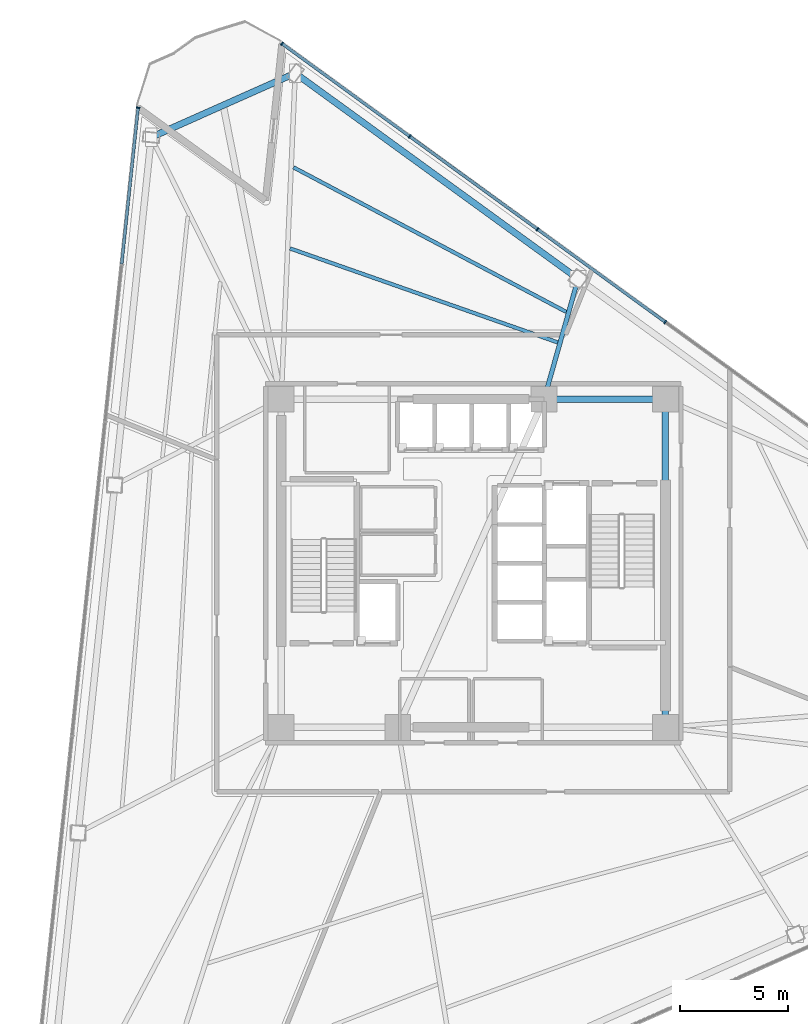
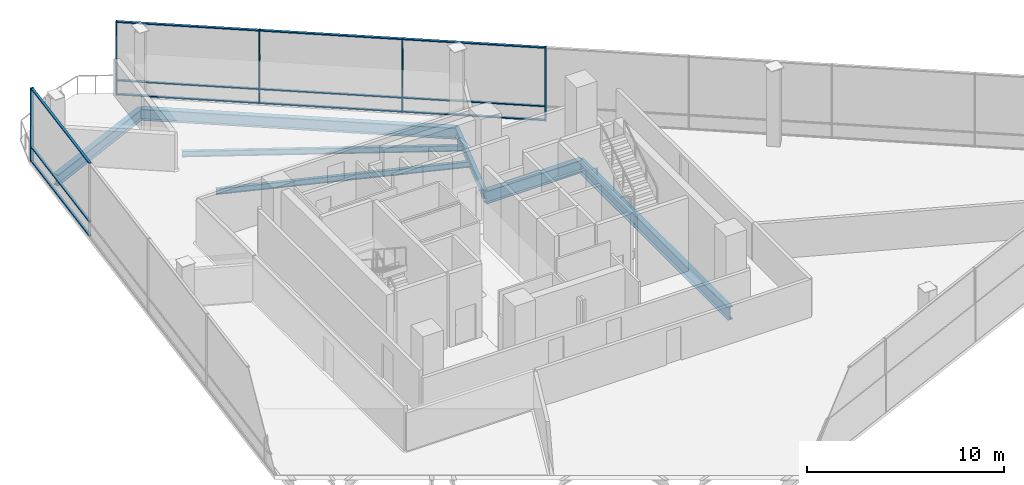
# One storey, part 8 of 18: 17 members, 7 beams, 2 elements without a shape of their own.
"""IFC4 building model written with IfcOpenShell, lengths in metres."""

from ifc_helpers import new_model, si_unit, direction, frame, origin, origin_2d, place, context, subcontext, project, spatial, rectangle, i_section, extrude, material, layer, layer_set, material_profile, profile_set, type_object, element, aggregate, save


model = new_model("IFC4")

# Units and contexts
model_context = context("Model", 3, precision=1e-05, world=origin(), true_north=direction((0.0, 1.0)))
body_context = subcontext(model_context, "Body", "Model", "MODEL_VIEW")
ifc_project = project(units=[si_unit("LENGTHUNIT", "METRE"), si_unit("AREAUNIT", "SQUARE_METRE"), si_unit("VOLUMEUNIT", "CUBIC_METRE"), si_unit("PLANEANGLEUNIT", "RADIAN"), si_unit("MASSUNIT", "GRAM", prefix="KILO")], contexts=[model_context])

# Site, building, storey
site_placement = place(None, origin())
site = spatial("IfcSite", under=ifc_project, at=site_placement, CompositionType="ELEMENT")
building_placement = place(site_placement, origin())
building = spatial("IfcBuilding", under=site, at=building_placement, Name="Tharavind Bronze Gate", CompositionType="ELEMENT")
storey_placement = place(building_placement, frame((0.0, 0.0, 134.050048828125)))
storey = spatial("IfcBuildingStorey", under=building, at=storey_placement, Name="L34", CompositionType="ELEMENT", Elevation=134.050048828125)

# Curtain wall, member
ifc_material_1 = material(Name="Anodised Bronze Aluminium", Category="aluminium")
ifc_layer = layer(ifc_material_1, 0.219970703125)
ifc_layer_set = layer_set([ifc_layer], Name="Anodised Bronze Aluminium")
curtain_wall_type = type_object("IfcCurtainWallType", Name="UNITISED CURTAIN WALL LOWER OFFICE", PredefinedType="USERDEFINED", material=ifc_layer_set)
curtain_wall_1_placement = place(storey_placement, origin())
curtain_wall_1 = element("IfcCurtainWall", 1, at=curtain_wall_1_placement, inside=storey, type_object=curtain_wall_type, Name="L34 unitised curtain wall lower office CW-L34-S1", ObjectType="UNITISED CURTAIN WALL", PredefinedType="USERDEFINED")
member_type_1 = type_object("IfcMemberType", Name="CURTAIN WALL BRONZE MULLION 65X180", PredefinedType="MULLION", material=ifc_material_1)
member_1_placement = place(storey_placement, frame((-15.527587890625, 21.101806640625, 0.0), z_axis=(0.0, 0.0, 1.0), x_axis=(-0.104526727499, -0.994522077803, 0.0)))
member_1 = element("IfcMember", 2, at=member_1_placement, type_object=member_type_1, Name="CW-L34-S1 mullion 1", PredefinedType="MULLION", context=body_context, shape_type="SweptSolid", body=[
    extrude(rectangle(XDim=0.06494140625, YDim=0.179931640625, at=origin_2d()), origin(), (0.0, 0.0, 1.0), 4.56005859375),
])

# Curtain wall, members
curtain_wall_2_placement = place(storey_placement, origin())
curtain_wall_2 = element("IfcCurtainWall", 3, at=curtain_wall_2_placement, inside=storey, type_object=curtain_wall_type, Name="L34 unitised curtain wall lower office CW-L34-S3", ObjectType="UNITISED CURTAIN WALL", PredefinedType="USERDEFINED")
member_2_placement = place(storey_placement, frame((8.89111328125, 11.1748046875, 0.0), z_axis=(0.0, 0.0, 1.0), x_axis=(-0.809016994375, 0.587785252292, 0.0)))
member_2 = element("IfcMember", 4, at=member_2_placement, type_object=member_type_1, Name="CW-L34-S3 mullion 5", PredefinedType="MULLION", context=body_context, shape_type="SweptSolid", body=[
    extrude(rectangle(XDim=0.06494140625, YDim=0.179931640625, at=origin_2d()), origin(), (0.0, 0.0, 1.0), 4.56005859375),
])
member_3_placement = place(storey_placement, frame((2.974609375, 15.473388671875, 0.0), z_axis=(0.0, 0.0, 1.0), x_axis=(-0.809016994375, 0.587785252292, 0.0)))
member_3 = element("IfcMember", 5, at=member_3_placement, type_object=member_type_1, Name="CW-L34-S3 mullion 6", PredefinedType="MULLION", context=body_context, shape_type="SweptSolid", body=[
    extrude(rectangle(XDim=0.06494140625, YDim=0.179931640625, at=origin_2d()), origin(), (0.0, 0.0, 1.0), 4.56005859375),
])
member_4_placement = place(storey_placement, frame((-2.942138671875, 19.772216796875, 0.0), z_axis=(0.0, 0.0, 1.0), x_axis=(-0.809016994375, 0.587785252292, 0.0)))
member_4 = element("IfcMember", 6, at=member_4_placement, type_object=member_type_1, Name="CW-L34-S3 mullion 7", PredefinedType="MULLION", context=body_context, shape_type="SweptSolid", body=[
    extrude(rectangle(XDim=0.06494140625, YDim=0.179931640625, at=origin_2d()), origin(), (0.0, 0.0, 1.0), 4.56005859375),
])
member_5_placement = place(storey_placement, frame((-8.85888671875, 24.07080078125, 0.0), z_axis=(0.0, 0.0, 1.0), x_axis=(-0.809016994375, 0.587785252292, 0.0)))
member_5 = element("IfcMember", 7, at=member_5_placement, type_object=member_type_1, Name="CW-L34-S3 mullion 8", PredefinedType="MULLION", context=body_context, shape_type="SweptSolid", body=[
    extrude(rectangle(XDim=0.06494140625, YDim=0.179931640625, at=origin_2d()), origin(), (0.0, 0.0, 1.0), 4.56005859375),
])

# Member
member_type_2 = type_object("IfcMemberType", Name="CURTAIN WALL BRONZE TRANSOM 65X140", PredefinedType="USERDEFINED", material=ifc_material_1)
member_6_placement = place(storey_placement, frame((-15.909912109375, 17.465087890625, 0.0), z_axis=(0.0, 0.0, 1.0), x_axis=(-0.104526727499, -0.994522077803, 0.0)))
member_6 = element("IfcMember", 8, at=member_6_placement, type_object=member_type_2, Name="CW-L34-S1 transom TB1", ObjectType="TRANSOM", PredefinedType="USERDEFINED", context=body_context, shape_type="SweptSolid", body=[
    extrude(rectangle(XDim=7.26025390625, YDim=0.139892578125, at=origin_2d()), origin(), (0.0, 0.0, 1.0), 0.06494140625),
])

member_7_placement = place(storey_placement, frame((-15.909912109375, 17.465087890625, 0.867431640625), z_axis=(0.0, 0.0, 1.0), x_axis=(-0.104526727499, -0.994522077803, 0.0)))
member_7 = element("IfcMember", 9, at=member_7_placement, type_object=member_type_2, Name="CW-L34-S1 transom TS1", ObjectType="TRANSOM", PredefinedType="USERDEFINED", context=body_context, shape_type="SweptSolid", body=[
    extrude(rectangle(XDim=7.26025390625, YDim=0.139892578125, at=origin_2d()), origin(), (0.0, 0.0, 1.0), 0.06494140625),
])

member_8_placement = place(storey_placement, frame((-15.909912109375, 17.465087890625, 4.494873046875), z_axis=(0.0, 0.0, 1.0), x_axis=(-0.104526727499, -0.994522077803, 0.0)))
member_8 = element("IfcMember", 10, at=member_8_placement, type_object=member_type_2, Name="CW-L34-S1 transom TT1", ObjectType="TRANSOM", PredefinedType="USERDEFINED", context=body_context, shape_type="SweptSolid", body=[
    extrude(rectangle(XDim=7.26025390625, YDim=0.139892578125, at=origin_2d()), origin(), (0.0, 0.0, 1.0), 0.06494140625),
])

aggregate(curtain_wall_1, [member_1, member_6, member_7, member_8])

member_9_placement = place(storey_placement, frame((5.932861328125, 13.32421875, 0.0), z_axis=(0.0, 0.0, 1.0), x_axis=(-0.809016994375, 0.587785252292, 0.0)))
member_9 = element("IfcMember", 11, at=member_9_placement, type_object=member_type_2, Name="CW-L34-S3 transom TB5", ObjectType="TRANSOM", PredefinedType="USERDEFINED", context=body_context, shape_type="SweptSolid", body=[
    extrude(rectangle(XDim=7.260498046875, YDim=0.139892578125, at=origin_2d()), origin(), (0.0, 0.0, 1.0), 0.06494140625),
])

member_10_placement = place(storey_placement, frame((5.932861328125, 13.32421875, 0.867431640625), z_axis=(0.0, 0.0, 1.0), x_axis=(-0.809016994375, 0.587785252292, 0.0)))
member_10 = element("IfcMember", 12, at=member_10_placement, type_object=member_type_2, Name="CW-L34-S3 transom TS5", ObjectType="TRANSOM", PredefinedType="USERDEFINED", context=body_context, shape_type="SweptSolid", body=[
    extrude(rectangle(XDim=7.260498046875, YDim=0.139892578125, at=origin_2d()), origin(), (0.0, 0.0, 1.0), 0.06494140625),
])

member_11_placement = place(storey_placement, frame((5.932861328125, 13.32421875, 4.494873046875), z_axis=(0.0, 0.0, 1.0), x_axis=(-0.809016994375, 0.587785252292, 0.0)))
member_11 = element("IfcMember", 13, at=member_11_placement, type_object=member_type_2, Name="CW-L34-S3 transom TT5", ObjectType="TRANSOM", PredefinedType="USERDEFINED", context=body_context, shape_type="SweptSolid", body=[
    extrude(rectangle(XDim=7.260498046875, YDim=0.139892578125, at=origin_2d()), origin(), (0.0, 0.0, 1.0), 0.06494140625),
])

member_12_placement = place(storey_placement, frame((0.01611328125, 17.622802734375, 0.0), z_axis=(0.0, 0.0, 1.0), x_axis=(-0.809016994375, 0.587785252292, 0.0)))
member_12 = element("IfcMember", 14, at=member_12_placement, type_object=member_type_2, Name="CW-L34-S3 transom TB6", ObjectType="TRANSOM", PredefinedType="USERDEFINED", context=body_context, shape_type="SweptSolid", body=[
    extrude(rectangle(XDim=7.260498046875, YDim=0.139892578125, at=origin_2d()), origin(), (0.0, 0.0, 1.0), 0.06494140625),
])

member_13_placement = place(storey_placement, frame((0.01611328125, 17.622802734375, 0.867431640625), z_axis=(0.0, 0.0, 1.0), x_axis=(-0.809016994375, 0.587785252292, 0.0)))
member_13 = element("IfcMember", 15, at=member_13_placement, type_object=member_type_2, Name="CW-L34-S3 transom TS6", ObjectType="TRANSOM", PredefinedType="USERDEFINED", context=body_context, shape_type="SweptSolid", body=[
    extrude(rectangle(XDim=7.260498046875, YDim=0.139892578125, at=origin_2d()), origin(), (0.0, 0.0, 1.0), 0.06494140625),
])

member_14_placement = place(storey_placement, frame((0.01611328125, 17.622802734375, 4.494873046875), z_axis=(0.0, 0.0, 1.0), x_axis=(-0.809016994375, 0.587785252292, 0.0)))
member_14 = element("IfcMember", 16, at=member_14_placement, type_object=member_type_2, Name="CW-L34-S3 transom TT6", ObjectType="TRANSOM", PredefinedType="USERDEFINED", context=body_context, shape_type="SweptSolid", body=[
    extrude(rectangle(XDim=7.260498046875, YDim=0.139892578125, at=origin_2d()), origin(), (0.0, 0.0, 1.0), 0.06494140625),
])

member_15_placement = place(storey_placement, frame((-5.900390625, 21.921630859375, 0.0), z_axis=(0.0, 0.0, 1.0), x_axis=(-0.809016994375, 0.587785252292, 0.0)))
member_15 = element("IfcMember", 17, at=member_15_placement, type_object=member_type_2, Name="CW-L34-S3 transom TB7", ObjectType="TRANSOM", PredefinedType="USERDEFINED", context=body_context, shape_type="SweptSolid", body=[
    extrude(rectangle(XDim=7.260498046875, YDim=0.139892578125, at=origin_2d()), origin(), (0.0, 0.0, 1.0), 0.06494140625),
])

member_16_placement = place(storey_placement, frame((-5.900390625, 21.921630859375, 0.867431640625), z_axis=(0.0, 0.0, 1.0), x_axis=(-0.809016994375, 0.587785252292, 0.0)))
member_16 = element("IfcMember", 18, at=member_16_placement, type_object=member_type_2, Name="CW-L34-S3 transom TS7", ObjectType="TRANSOM", PredefinedType="USERDEFINED", context=body_context, shape_type="SweptSolid", body=[
    extrude(rectangle(XDim=7.260498046875, YDim=0.139892578125, at=origin_2d()), origin(), (0.0, 0.0, 1.0), 0.06494140625),
])

member_17_placement = place(storey_placement, frame((-5.900390625, 21.921630859375, 4.494873046875), z_axis=(0.0, 0.0, 1.0), x_axis=(-0.809016994375, 0.587785252292, 0.0)))
member_17 = element("IfcMember", 19, at=member_17_placement, type_object=member_type_2, Name="CW-L34-S3 transom TT7", ObjectType="TRANSOM", PredefinedType="USERDEFINED", context=body_context, shape_type="SweptSolid", body=[
    extrude(rectangle(XDim=7.260498046875, YDim=0.139892578125, at=origin_2d()), origin(), (0.0, 0.0, 1.0), 0.06494140625),
])

aggregate(curtain_wall_2, [member_2, member_3, member_4, member_5, member_9, member_10, member_11, member_12, member_13, member_14, member_15, member_16, member_17])

# Beams
ifc_material_2 = material(Name="Steel S355", Category="steel")
ifc_material_profile_1 = material_profile(ifc_material_2, i_section(OverallWidth=0.2099609375, OverallDepth=0.550048828125, WebThickness=0.010986328125, FlangeThickness=0.01708984375, at=origin_2d()), Name="IPE550")
ifc_profile_set_1 = profile_set([ifc_material_profile_1], Name="Steel S355")
beam_type_1 = type_object("IfcBeamType", Name="PRIMARY GIRDER IPE550", PredefinedType="USERDEFINED", material=ifc_profile_set_1)
beam_1_placement = place(storey_placement, frame((4.856201171875, 13.179443359375, -0.465087890625), z_axis=(-0.271861210874, -0.962336470275, 0.0), x_axis=(0.962336470275, -0.271861210874, 0.0)))
element("IfcBeam", 20, at=beam_1_placement, inside=storey, type_object=beam_type_1, Name="L34 primary girder ipe550 BM-L34-RAD11", ObjectType="GIRDER", PredefinedType="USERDEFINED", context=body_context, shape_type="SweptSolid", body=[
    extrude(i_section(OverallWidth=0.2099609375, OverallDepth=0.550048828125, WebThickness=0.010986328125, FlangeThickness=0.01708984375, at=origin_2d()), origin(), (0.0, 0.0, 1.0), 5.797607421875),
])
ifc_material_profile_2 = material_profile(ifc_material_2, i_section(OverallWidth=0.300048828125, OverallDepth=0.699951171875, WebThickness=0.01708984375, FlangeThickness=0.031982421875, at=origin_2d()), Name="HE700B")
ifc_profile_set_2 = profile_set([ifc_material_profile_2], Name="Steel S355")
beam_type_2 = type_object("IfcBeamType", Name="RING GIRDER HE700B", PredefinedType="USERDEFINED", material=ifc_profile_set_2)
beam_2_placement = place(storey_placement, frame((4.856201171875, 13.179443359375, -0.5400390625), z_axis=(-0.809014294341, 0.587788968553, 0.0), x_axis=(-0.587788968553, -0.809014294341, 0.0)))
element("IfcBeam", 21, at=beam_2_placement, inside=storey, type_object=beam_type_2, Name="L34 ring girder he700b BM-L34-PRG11", ObjectType="GIRDER", PredefinedType="USERDEFINED", context=body_context, shape_type="SweptSolid", body=[
    extrude(i_section(OverallWidth=0.300048828125, OverallDepth=0.699951171875, WebThickness=0.01708984375, FlangeThickness=0.031982421875, at=origin_2d()), origin(), (0.0, 0.0, 1.0), 16.198486328125),
])
beam_3_placement = place(storey_placement, frame((-8.24853515625, 22.70068359375, -0.5400390625), z_axis=(-0.913543802, -0.40674036169, 0.0), x_axis=(0.40674036169, -0.913543802, 0.0)))
element("IfcBeam", 22, at=beam_3_placement, inside=storey, type_object=beam_type_2, Name="L34 ring girder he700b BM-L34-PRG12", ObjectType="GIRDER", PredefinedType="USERDEFINED", context=body_context, shape_type="SweptSolid", body=[
    extrude(i_section(OverallWidth=0.300048828125, OverallDepth=0.699951171875, WebThickness=0.01708984375, FlangeThickness=0.031982421875, at=origin_2d()), origin(), (0.0, 0.0, 1.0), 7.300048828125),
])
ifc_material_profile_3 = material_profile(ifc_material_2, i_section(OverallWidth=0.300048828125, OverallDepth=0.800048828125, WebThickness=0.017578125, FlangeThickness=0.032958984375, at=origin_2d()), Name="HE800B")
ifc_profile_set_3 = profile_set([ifc_material_profile_3], Name="Steel S355")
beam_type_3 = type_object("IfcBeamType", Name="RING GIRDER HE800B", PredefinedType="USERDEFINED", material=ifc_profile_set_3)
beam_4_placement = place(storey_placement, frame((8.89990234375, -7.60009765625, -0.590087890625), z_axis=(0.0, 1.0, 0.0), x_axis=(-1.0, 0.0, 0.0)))
element("IfcBeam", 23, at=beam_4_placement, inside=storey, type_object=beam_type_3, Name="L34 ring girder he800b BM-L34-CR3", ObjectType="GIRDER", PredefinedType="USERDEFINED", context=body_context, shape_type="SweptSolid", body=[
    extrude(i_section(OverallWidth=0.300048828125, OverallDepth=0.800048828125, WebThickness=0.017578125, FlangeThickness=0.032958984375, at=origin_2d()), origin(), (0.0, 0.0, 1.0), 15.2001953125),
])
beam_5_placement = place(storey_placement, frame((8.89990234375, 7.60009765625, -0.590087890625), z_axis=(-1.0, 0.0, 0.0), x_axis=(0.0, -1.0, 0.0)))
element("IfcBeam", 24, at=beam_5_placement, inside=storey, type_object=beam_type_3, Name="L34 ring girder he800b BM-L34-CR4", ObjectType="GIRDER", PredefinedType="USERDEFINED", context=body_context, shape_type="SweptSolid", body=[
    extrude(i_section(OverallWidth=0.300048828125, OverallDepth=0.800048828125, WebThickness=0.017578125, FlangeThickness=0.032958984375, at=origin_2d()), origin(), (0.0, 0.0, 1.0), 5.619873046875),
])
ifc_material_profile_4 = material_profile(ifc_material_2, i_section(OverallWidth=0.169921875, OverallDepth=0.360107421875, WebThickness=0.008056640625, FlangeThickness=0.0126953125, at=origin_2d()), Name="IPE360")
ifc_profile_set_4 = profile_set([ifc_material_profile_4], Name="Steel S355")
beam_type_4 = type_object("IfcBeamType", Name="SECONDARY FLOOR JOIST IPE360", PredefinedType="JOIST", material=ifc_profile_set_4)
beam_6_placement = place(storey_placement, frame((3.909912109375, 10.230712890625, -0.3701171875), z_axis=(-0.94354019652, 0.33125805281, 0.0), x_axis=(-0.33125805281, -0.94354019652, 0.0)))
element("IfcBeam", 25, at=beam_6_placement, inside=storey, type_object=beam_type_4, Name="L34 secondary floor joist ipe360 BM-L34-JSTA11", PredefinedType="JOIST", context=body_context, shape_type="SweptSolid", body=[
    extrude(i_section(OverallWidth=0.169921875, OverallDepth=0.360107421875, WebThickness=0.008056640625, FlangeThickness=0.0126953125, at=origin_2d()), origin(), (0.0, 0.0, 1.0), 13.1416015625),
])
beam_7_placement = place(storey_placement, frame((4.30859375, 11.6416015625, -0.3701171875), z_axis=(-0.883525360926, 0.468383322291, 0.0), x_axis=(-0.468383322291, -0.883525360926, 0.0)))
element("IfcBeam", 26, at=beam_7_placement, inside=storey, type_object=beam_type_4, Name="L34 secondary floor joist ipe360 BM-L34-JSTB11", PredefinedType="JOIST", context=body_context, shape_type="SweptSolid", body=[
    extrude(i_section(OverallWidth=0.169921875, OverallDepth=0.360107421875, WebThickness=0.008056640625, FlangeThickness=0.0126953125, at=origin_2d()), origin(), (0.0, 0.0, 1.0), 14.30224609375),
])

save(model, "model.ifc")
